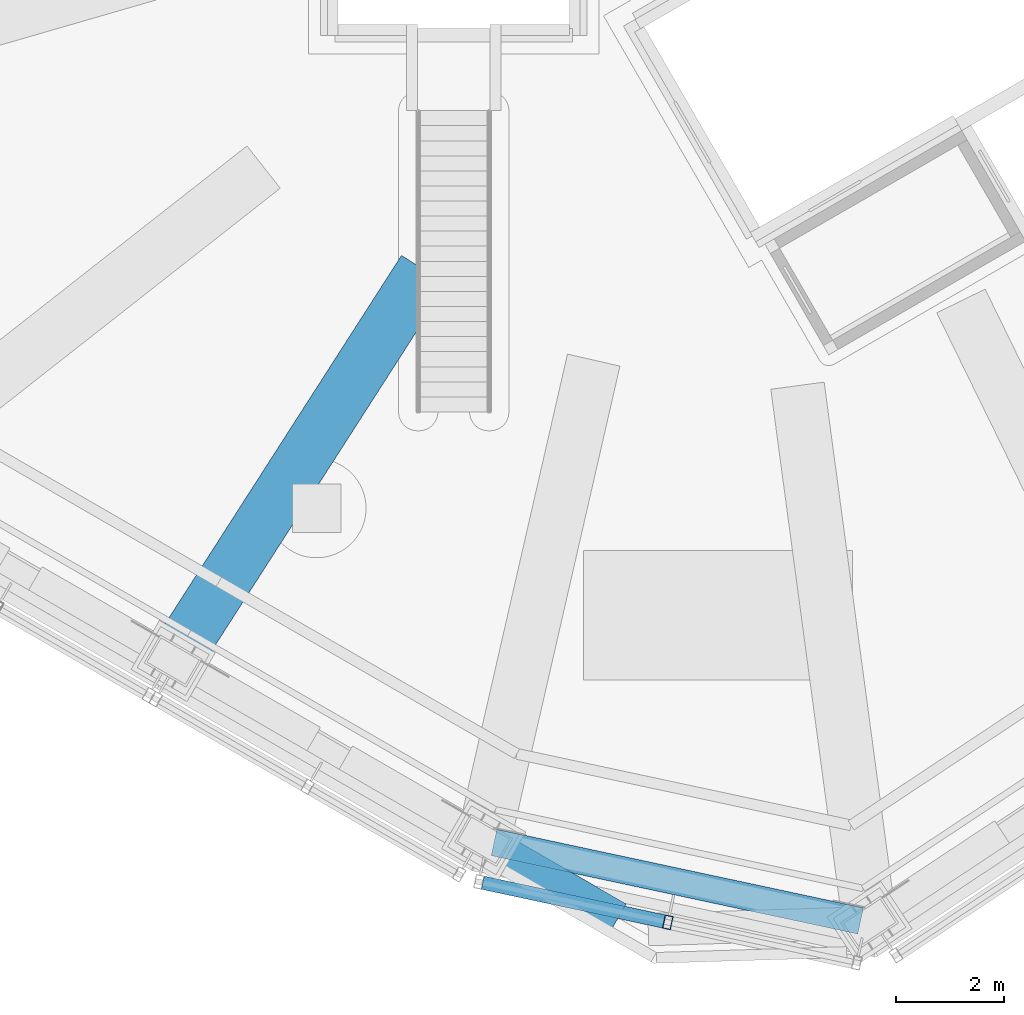
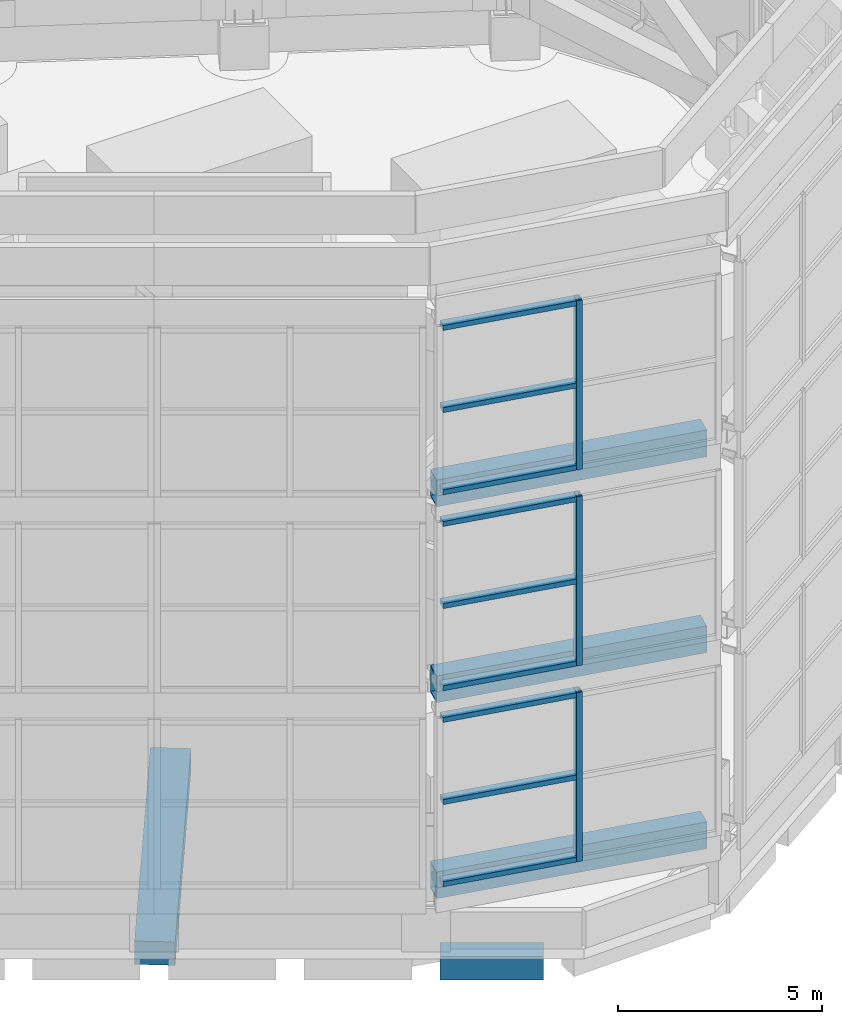
# One storey, part 4 of 46: 15 members, 2 beams, 3 elements without a shape of their own.
"""IFC4 building model written with IfcOpenShell, lengths in metres."""

from ifc_helpers import new_model, si_unit, direction, frame, origin, origin_2d, place, context, subcontext, project, spatial, rectangle, hollow_rectangle, extrude, material, material_profile, profile_set, type_object, element, aggregate, save


model = new_model("IFC4")

# Units and contexts
model_context = context("Model", 3, precision=1e-05, world=origin(), true_north=direction((0.0, 1.0)))
body_context = subcontext(model_context, "Body", "Model", "MODEL_VIEW")
ifc_project = project(units=[si_unit("LENGTHUNIT", "METRE"), si_unit("AREAUNIT", "SQUARE_METRE"), si_unit("VOLUMEUNIT", "CUBIC_METRE"), si_unit("PLANEANGLEUNIT", "RADIAN"), si_unit("MASSUNIT", "GRAM", prefix="KILO")], contexts=[model_context])

# Site, building, storey
site_placement = place(None, origin())
site = spatial("IfcSite", under=ifc_project, at=site_placement, CompositionType="ELEMENT")
building_placement = place(site_placement, origin())
building = spatial("IfcBuilding", under=site, at=building_placement, Name="Vanh Sen Convention Tower", CompositionType="ELEMENT")
storey_placement = place(building_placement, frame((0.0, 0.0, 305.0)))
storey = spatial("IfcBuildingStorey", under=building, at=storey_placement, Name="Roof level", CompositionType="ELEMENT", Elevation=305.0)

# Members
ifc_material_1 = material(Name="Steel S460", Category="steel")
ifc_material_profile_1 = material_profile(ifc_material_1, hollow_rectangle(XDim=0.5, YDim=0.800048828125, WallThickness=0.030029296875, at=origin_2d()), Name="BOX 800X500X30")
ifc_profile_set_1 = profile_set([ifc_material_profile_1], Name="Steel S460")
member_type_1 = type_object("IfcMemberType", Name="Crown ring beam BOX 800X500X30", PredefinedType="CHORD", material=ifc_profile_set_1)
for number, where, z_axis, x_axis, name in (
    (1, (-4.201904296875, -19.21240234375, 1.7451171875), (0.977866457052, -0.209229998263, 0.0), (0.209229998263, 0.977866457052, 0.0), "CROWN FRAME ring beam 1 span 15"),
    (2, (-4.201904296875, -19.21240234375, 7.61328125), (0.977866457052, -0.209229998263, 0.0), (0.209229998263, 0.977866457052, 0.0), "CROWN FRAME ring beam 2 span 15"),
    (3, (-4.201904296875, -19.21240234375, 13.481689453125), (0.977866457052, -0.209229998263, 0.0), (0.209229998263, 0.977866457052, 0.0), "CROWN FRAME ring beam 3 span 15"),
):
    element("IfcMember", number, at=place(storey_placement, frame(where, z_axis=z_axis, x_axis=x_axis)), inside=storey, type_object=member_type_1, Name=name, PredefinedType="CHORD", context=body_context, shape_type="SweptSolid", body=[
        extrude(hollow_rectangle(XDim=0.5, YDim=0.800048828125, WallThickness=0.030029296875, at=origin_2d()), origin(), (0.0, 0.0, 1.0), 6.968505859375),
    ])

# Curtain wall, member
ifc_material_2 = material(Name="Concrete C60/75", Category="concrete")
curtain_wall_type = type_object("IfcCurtainWallType", Name="Crown screen", PredefinedType="NOTDEFINED", material=ifc_material_2)
curtain_wall_1_placement = place(storey_placement, origin())
curtain_wall_1 = element("IfcCurtainWall", 4, at=curtain_wall_1_placement, inside=storey, type_object=curtain_wall_type, Name="CROWN SCREEN 15 tier 1", PredefinedType="NOTDEFINED")
ifc_material_3 = material(Name="Steel S355", Category="steel")
ifc_material_profile_2 = material_profile(ifc_material_3, hollow_rectangle(XDim=0.25, YDim=0.14990234375, WallThickness=0.008056640625, at=origin_2d()), Name="RHS 250X150X8")
ifc_profile_set_2 = profile_set([ifc_material_profile_2], Name="Steel S355")
member_type_2 = type_object("IfcMemberType", Name="Crown screen mullion RHS 250X150X8", PredefinedType="MULLION", material=ifc_profile_set_2)
member_1_placement = place(storey_placement, frame((-0.97021484375, -20.6962890625, 2.14501953125), z_axis=(0.0, 0.0, 1.0), x_axis=(0.209235808418, 0.977865213859, 0.0)))
member_1 = element("IfcMember", 5, at=member_1_placement, type_object=member_type_2, Name="CROWN SCREEN6 mullion 2", PredefinedType="MULLION", context=body_context, shape_type="SweptSolid", body=[
    extrude(hollow_rectangle(XDim=0.25, YDim=0.14990234375, WallThickness=0.008056640625, at=origin_2d()), origin(), (0.0, 0.0, 1.0), 5.068359375),
])

curtain_wall_2_placement = place(storey_placement, origin())
curtain_wall_2 = element("IfcCurtainWall", 6, at=curtain_wall_2_placement, inside=storey, type_object=curtain_wall_type, Name="CROWN SCREEN 15 tier 2", PredefinedType="NOTDEFINED")
member_2_placement = place(storey_placement, frame((-0.97021484375, -20.6962890625, 8.01318359375), z_axis=(0.0, 0.0, 1.0), x_axis=(0.209235808418, 0.977865213859, 0.0)))
member_2 = element("IfcMember", 7, at=member_2_placement, type_object=member_type_2, Name="CROWN SCREEN6 mullion 2", PredefinedType="MULLION", context=body_context, shape_type="SweptSolid", body=[
    extrude(hollow_rectangle(XDim=0.25, YDim=0.14990234375, WallThickness=0.008056640625, at=origin_2d()), origin(), (0.0, 0.0, 1.0), 5.068603515625),
])

curtain_wall_3_placement = place(storey_placement, origin())
curtain_wall_3 = element("IfcCurtainWall", 8, at=curtain_wall_3_placement, inside=storey, type_object=curtain_wall_type, Name="CROWN SCREEN 15 tier 3", PredefinedType="NOTDEFINED")
member_3_placement = place(storey_placement, frame((-0.97021484375, -20.6962890625, 13.881591796875), z_axis=(0.0, 0.0, 1.0), x_axis=(0.209235808418, 0.977865213859, 0.0)))
member_3 = element("IfcMember", 9, at=member_3_placement, type_object=member_type_2, Name="CROWN SCREEN6 mullion 2", PredefinedType="MULLION", context=body_context, shape_type="SweptSolid", body=[
    extrude(hollow_rectangle(XDim=0.25, YDim=0.14990234375, WallThickness=0.008056640625, at=origin_2d()), origin(), (0.0, 0.0, 1.0), 5.068359375),
])

# Member
ifc_material_profile_3 = material_profile(ifc_material_3, hollow_rectangle(XDim=0.25, YDim=0.14990234375, WallThickness=0.008056640625, at=origin_2d()), Name="RHS 250X150X8")
ifc_profile_set_3 = profile_set([ifc_material_profile_3], Name="Steel S355")
member_type_3 = type_object("IfcMemberType", Name="Crown screen transom RHS 250X150X8", PredefinedType="USERDEFINED", material=ifc_profile_set_3)
member_4_placement = place(storey_placement, frame((-4.409912109375, -19.96044921875, 2.219970703125), z_axis=(0.977868789196, -0.209219098356, 0.0), x_axis=(0.209219098356, 0.977868789196, 0.0)))
member_4 = element("IfcMember", 10, at=member_4_placement, type_object=member_type_3, Name="CROWN SCREEN6 transom 1.1", ObjectType="TRANSOM", PredefinedType="USERDEFINED", context=body_context, shape_type="SweptSolid", body=[
    extrude(hollow_rectangle(XDim=0.25, YDim=0.14990234375, WallThickness=0.008056640625, at=origin_2d()), origin(), (0.0, 0.0, 1.0), 3.4423828125),
])

member_5_placement = place(storey_placement, frame((-4.409912109375, -19.96044921875, 4.67919921875), z_axis=(0.977868789196, -0.209219098356, 0.0), x_axis=(0.209219098356, 0.977868789196, 0.0)))
member_5 = element("IfcMember", 11, at=member_5_placement, type_object=member_type_3, Name="CROWN SCREEN6 transom 1.2", ObjectType="TRANSOM", PredefinedType="USERDEFINED", context=body_context, shape_type="SweptSolid", body=[
    extrude(hollow_rectangle(XDim=0.25, YDim=0.14990234375, WallThickness=0.008056640625, at=origin_2d()), origin(), (0.0, 0.0, 1.0), 3.4423828125),
])

member_6_placement = place(storey_placement, frame((-4.409912109375, -19.96044921875, 7.13818359375), z_axis=(0.977868789196, -0.209219098356, 0.0), x_axis=(0.209219098356, 0.977868789196, 0.0)))
member_6 = element("IfcMember", 12, at=member_6_placement, type_object=member_type_3, Name="CROWN SCREEN6 transom 1.3", ObjectType="TRANSOM", PredefinedType="USERDEFINED", context=body_context, shape_type="SweptSolid", body=[
    extrude(hollow_rectangle(XDim=0.25, YDim=0.14990234375, WallThickness=0.008056640625, at=origin_2d()), origin(), (0.0, 0.0, 1.0), 3.4423828125),
])

aggregate(curtain_wall_1, [member_1, member_4, member_5, member_6])

member_7_placement = place(storey_placement, frame((-4.409912109375, -19.96044921875, 8.08837890625), z_axis=(0.977868789196, -0.209219098356, 0.0), x_axis=(0.209219098356, 0.977868789196, 0.0)))
member_7 = element("IfcMember", 13, at=member_7_placement, type_object=member_type_3, Name="CROWN SCREEN6 transom 1.1", ObjectType="TRANSOM", PredefinedType="USERDEFINED", context=body_context, shape_type="SweptSolid", body=[
    extrude(hollow_rectangle(XDim=0.25, YDim=0.14990234375, WallThickness=0.008056640625, at=origin_2d()), origin(), (0.0, 0.0, 1.0), 3.4423828125),
])

member_8_placement = place(storey_placement, frame((-4.409912109375, -19.96044921875, 10.547607421875), z_axis=(0.977868789196, -0.209219098356, 0.0), x_axis=(0.209219098356, 0.977868789196, 0.0)))
member_8 = element("IfcMember", 14, at=member_8_placement, type_object=member_type_3, Name="CROWN SCREEN6 transom 1.2", ObjectType="TRANSOM", PredefinedType="USERDEFINED", context=body_context, shape_type="SweptSolid", body=[
    extrude(hollow_rectangle(XDim=0.25, YDim=0.14990234375, WallThickness=0.008056640625, at=origin_2d()), origin(), (0.0, 0.0, 1.0), 3.4423828125),
])

member_9_placement = place(storey_placement, frame((-4.409912109375, -19.96044921875, 13.006591796875), z_axis=(0.977868789196, -0.209219098356, 0.0), x_axis=(0.209219098356, 0.977868789196, 0.0)))
member_9 = element("IfcMember", 15, at=member_9_placement, type_object=member_type_3, Name="CROWN SCREEN6 transom 1.3", ObjectType="TRANSOM", PredefinedType="USERDEFINED", context=body_context, shape_type="SweptSolid", body=[
    extrude(hollow_rectangle(XDim=0.25, YDim=0.14990234375, WallThickness=0.008056640625, at=origin_2d()), origin(), (0.0, 0.0, 1.0), 3.4423828125),
])

aggregate(curtain_wall_2, [member_2, member_7, member_8, member_9])

member_10_placement = place(storey_placement, frame((-4.409912109375, -19.96044921875, 13.956787109375), z_axis=(0.977868789196, -0.209219098356, 0.0), x_axis=(0.209219098356, 0.977868789196, 0.0)))
member_10 = element("IfcMember", 16, at=member_10_placement, type_object=member_type_3, Name="CROWN SCREEN6 transom 1.1", ObjectType="TRANSOM", PredefinedType="USERDEFINED", context=body_context, shape_type="SweptSolid", body=[
    extrude(hollow_rectangle(XDim=0.25, YDim=0.14990234375, WallThickness=0.008056640625, at=origin_2d()), origin(), (0.0, 0.0, 1.0), 3.4423828125),
])

member_11_placement = place(storey_placement, frame((-4.409912109375, -19.96044921875, 16.415771484375), z_axis=(0.977868789196, -0.209219098356, 0.0), x_axis=(0.209219098356, 0.977868789196, 0.0)))
member_11 = element("IfcMember", 17, at=member_11_placement, type_object=member_type_3, Name="CROWN SCREEN6 transom 1.2", ObjectType="TRANSOM", PredefinedType="USERDEFINED", context=body_context, shape_type="SweptSolid", body=[
    extrude(hollow_rectangle(XDim=0.25, YDim=0.14990234375, WallThickness=0.008056640625, at=origin_2d()), origin(), (0.0, 0.0, 1.0), 3.4423828125),
])

member_12_placement = place(storey_placement, frame((-4.409912109375, -19.96044921875, 18.875), z_axis=(0.977868789196, -0.209219098356, 0.0), x_axis=(0.209219098356, 0.977868789196, 0.0)))
member_12 = element("IfcMember", 18, at=member_12_placement, type_object=member_type_3, Name="CROWN SCREEN6 transom 1.3", ObjectType="TRANSOM", PredefinedType="USERDEFINED", context=body_context, shape_type="SweptSolid", body=[
    extrude(hollow_rectangle(XDim=0.25, YDim=0.14990234375, WallThickness=0.008056640625, at=origin_2d()), origin(), (0.0, 0.0, 1.0), 3.4423828125),
])

aggregate(curtain_wall_3, [member_3, member_10, member_11, member_12])

# Beams
ifc_material_4 = material(Name="Concrete C50/60", Category="concrete")
ifc_material_profile_4 = material_profile(ifc_material_4, rectangle(XDim=1.0, YDim=0.699951171875, at=origin_2d()), Name="RC 1000X700")
ifc_profile_set_4 = profile_set([ifc_material_profile_4], Name="Concrete C50/60")
beam_type_1 = type_object("IfcBeamType", Name="Radial floor beam 1000 x 700", PredefinedType="BEAM", material=ifc_profile_set_4)
beam_1_placement = place(storey_placement, frame((-9.978515625, -15.548828125, -0.64990234375), z_axis=(0.540096753763, 0.841602932846, 0.0), x_axis=(-0.841602932846, 0.540096753763, 0.0)))
element("IfcBeam", 19, at=beam_1_placement, inside=storey, type_object=beam_type_1, Name="Radial beam 14 Roof level", PredefinedType="BEAM", context=body_context, shape_type="SweptSolid", body=[
    extrude(rectangle(XDim=1.0, YDim=0.699951171875, at=origin_2d()), origin(), (0.0, 0.0, 1.0), 8.29248046875),
])
ifc_material_profile_5 = material_profile(ifc_material_4, rectangle(XDim=0.60009765625, YDim=0.699951171875, at=origin_2d()), Name="RC 600X700")
ifc_profile_set_5 = profile_set([ifc_material_profile_5], Name="Concrete C50/60")
beam_type_2 = type_object("IfcBeamType", Name="Spandrel beam 600 x 700", PredefinedType="SPANDREL", material=ifc_profile_set_5)
beam_2_placement = place(storey_placement, frame((-4.095703125, -19.34375, -0.64990234375), z_axis=(0.866041625918, -0.499971901387, 0.0), x_axis=(0.499971901387, 0.866041625918, 0.0)))
element("IfcBeam", 20, at=beam_2_placement, inside=storey, type_object=beam_type_2, Name="Spandrel beam 29 Roof level", PredefinedType="SPANDREL", context=body_context, shape_type="SweptSolid", body=[
    extrude(rectangle(XDim=0.60009765625, YDim=0.699951171875, at=origin_2d()), origin(), (0.0, 0.0, 1.0), 2.541748046875),
])

save(model, "model.ifc")
